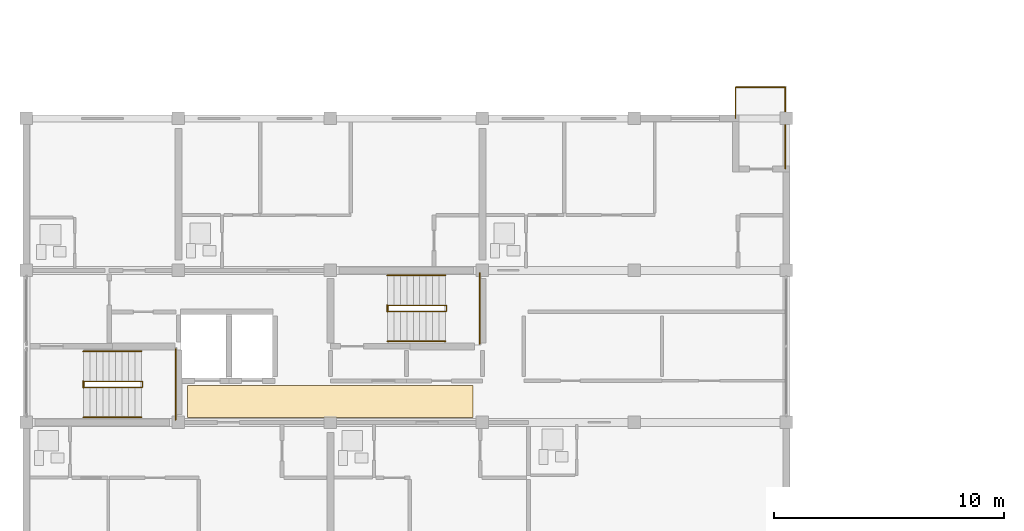
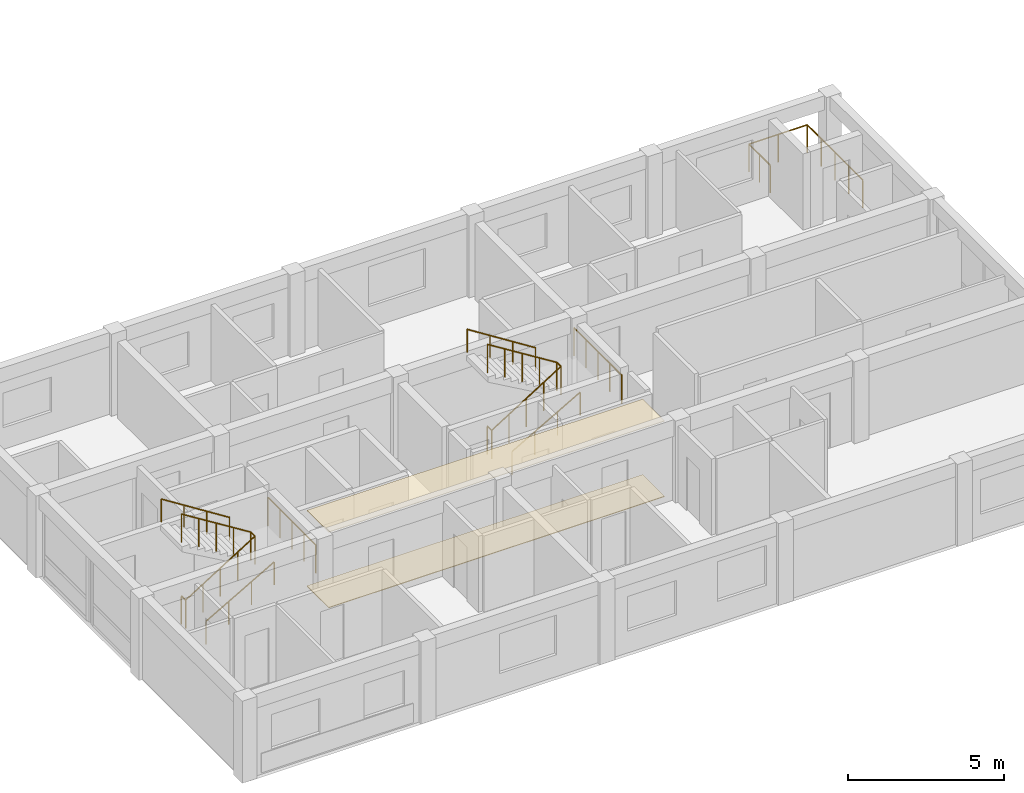
# One storey, part 43 of 46: 11 railings, 2 coverings.
"""IFC4 building model written with IfcOpenShell, lengths in metres."""

from ifc_helpers import new_model, si_unit, direction, frame, origin, origin_2d, place, context, subcontext, project, spatial, polyline, circle, outline, extrude, material, layer, layer_set, type_object, element, save


model = new_model("IFC4")

# Units and contexts
model_context = context("Model", 3, precision=1e-05, world=origin(), true_north=direction((0.0, 1.0)))
body_context = subcontext(model_context, "Body", "Model", "MODEL_VIEW")
ifc_project = project(units=[si_unit("LENGTHUNIT", "METRE"), si_unit("AREAUNIT", "SQUARE_METRE"), si_unit("VOLUMEUNIT", "CUBIC_METRE"), si_unit("PLANEANGLEUNIT", "RADIAN"), si_unit("MASSUNIT", "GRAM", prefix="KILO")], contexts=[model_context])

# Site, building, storey
site_placement = place(None, origin())
site = spatial("IfcSite", under=ifc_project, at=site_placement, CompositionType="ELEMENT")
building_placement = place(site_placement, origin())
building = spatial("IfcBuilding", under=site, at=building_placement, Name="Kernevlak Ridge Housing Community", CompositionType="ELEMENT")
storey_placement = place(building_placement, frame((0.0, 0.0, 27.60009765625)))
storey = spatial("IfcBuildingStorey", under=building, at=storey_placement, Name="L08", CompositionType="ELEMENT", Elevation=27.60009765625)

# Railing
ifc_material_1 = material(Name="Steel S355", Category="steel")
railing_type_1 = type_object("IfcRailingType", Name="BL-01", PredefinedType="BALUSTRADE", material=ifc_material_1)
railing_1_placement = place(storey_placement, frame((46.39990234375, 95.800048828125, 0.0)))
element("IfcRailing", 1, at=railing_1_placement, inside=storey, type_object=railing_type_1, Name="Block A L08 balcony balustrade BL-01 8", PredefinedType="BALUSTRADE", context=body_context, shape_type="SweptSolid", body=[
    extrude(circle(Radius=0.02392578125, at=origin_2d()), frame((0.0, 0.0, 1.076171875), z_axis=(0.0, 1.0, 0.0), x_axis=(-1.0, 0.0, 0.0)), (0.0, 0.0, 1.0), 1.349853515625),
    extrude(circle(Radius=0.02392578125, at=origin_2d()), frame((0.0, 1.349853515625, 1.076171875), z_axis=(1.0, 0.0, 0.0), x_axis=(0.0, 1.0, 0.0)), (0.0, 0.0, 1.0), 2.150146484375),
    extrude(circle(Radius=0.02392578125, at=origin_2d()), frame((2.150146484375, 1.349853515625, 1.076171875), z_axis=(0.0, -1.0, 0.0), x_axis=(1.0, 0.0, 0.0)), (0.0, 0.0, 1.0), 3.5498046875),
    extrude(circle(Radius=0.02099609375, at=origin_2d()), origin(), (0.0, 0.0, 1.0), 1.052001953125),
    extrude(circle(Radius=0.02099609375, at=origin_2d()), frame((0.0, 0.6748046875, 0.0)), (0.0, 0.0, 1.0), 1.052001953125),
    extrude(circle(Radius=0.02099609375, at=origin_2d()), frame((0.0, 1.349853515625, 0.0)), (0.0, 0.0, 1.0), 1.052001953125),
    extrude(circle(Radius=0.02099609375, at=origin_2d()), frame((1.0751953125, 1.349853515625, 0.0)), (0.0, 0.0, 1.0), 1.052001953125),
    extrude(circle(Radius=0.02099609375, at=origin_2d()), frame((2.150146484375, 1.349853515625, 0.0)), (0.0, 0.0, 1.0), 1.052001953125),
    extrude(circle(Radius=0.02099609375, at=origin_2d()), frame((2.150146484375, 0.46240234375, 0.0)), (0.0, 0.0, 1.0), 1.052001953125),
    extrude(circle(Radius=0.02099609375, at=origin_2d()), frame((2.150146484375, -0.425048828125, 0.0)), (0.0, 0.0, 1.0), 1.052001953125),
    extrude(circle(Radius=0.02099609375, at=origin_2d()), frame((2.150146484375, -1.3125, 0.0)), (0.0, 0.0, 1.0), 1.052001953125),
    extrude(circle(Radius=0.02099609375, at=origin_2d()), frame((2.150146484375, -2.199951171875, 0.0)), (0.0, 0.0, 1.0), 1.052001953125),
])

# Coverings
ifc_material_2 = material(Name="Acoustic perforated gypsum ceiling board")
ifc_layer_1 = layer(ifc_material_2, 0.02001953125, Name="Acoustic perforated gypsum ceiling board")
ifc_layer_set_1 = layer_set([ifc_layer_1], Name="Acoustic perforated gypsum ceiling board")
covering_type_1 = type_object("IfcCoveringType", Name="CV-01", PredefinedType="CEILING", material=ifc_layer_set_1)
covering_1_placement = place(storey_placement, frame((0.0, 0.0, 2.949951171875)))
element("IfcCovering", 2, at=covering_1_placement, inside=storey, type_object=covering_type_1, Name="Block A L08 lobby acoustic ceiling", PredefinedType="CEILING", context=body_context, shape_type="SweptSolid", body=[
    extrude(outline(polyline([(22.60009765625, 82.800048828125), (35.0, 82.800048828125), (35.0, 84.199951171875), (22.60009765625, 84.199951171875), (22.60009765625, 82.800048828125)])), origin(), (0.0, 0.0, 1.0), 0.02001953125),
])
ifc_material_3 = material(Name="Polished pale terrazzo tile flooring")
ifc_layer_2 = layer(ifc_material_3, 0.02490234375, Name="Polished pale terrazzo tile flooring")
ifc_layer_set_2 = layer_set([ifc_layer_2], Name="Polished pale terrazzo tile flooring")
covering_type_2 = type_object("IfcCoveringType", Name="CV-02", PredefinedType="FLOORING", material=ifc_layer_set_2)
covering_2_placement = place(storey_placement, origin())
element("IfcCovering", 3, at=covering_2_placement, inside=storey, type_object=covering_type_2, Name="Block A L08 lobby terrazzo flooring", PredefinedType="FLOORING", context=body_context, shape_type="SweptSolid", body=[
    extrude(outline(polyline([(22.60009765625, 82.800048828125), (35.0, 82.800048828125), (35.0, 84.199951171875), (22.60009765625, 84.199951171875), (22.60009765625, 82.800048828125)])), origin(), (0.0, 0.0, 1.0), 0.02490234375),
])

# Railings
railing_type_2 = type_object("IfcRailingType", Name="GR-02", PredefinedType="GUARDRAIL", material=ifc_material_1)
railing_2_placement = place(storey_placement, frame((18.080078125, 84.110107421875, 0.0)))
element("IfcRailing", 4, at=railing_2_placement, inside=storey, type_object=railing_type_2, Name="Stair ST-A1 L08 well slot guard", PredefinedType="GUARDRAIL", context=body_context, shape_type="SweptSolid", body=[
    extrude(circle(Radius=0.02392578125, at=origin_2d()), frame((0.0, 0.0, 1.09619140625), z_axis=(0.0, 1.0, 0.0), x_axis=(-1.0, 0.0, 0.0)), (0.0, 0.0, 1.0), 0.27978515625),
    extrude(circle(Radius=0.02099609375, at=origin_2d()), origin(), (0.0, 0.0, 1.0), 1.072021484375),
    extrude(circle(Radius=0.02099609375, at=origin_2d()), frame((0.0, 0.27978515625, 0.0)), (0.0, 0.0, 1.0), 1.072021484375),
])
railing_3_placement = place(storey_placement, frame((18.080078125, 84.1201171875, 0.0)))
element("IfcRailing", 5, at=railing_3_placement, inside=storey, type_object=railing_type_2, Name="Stair ST-A1 L08 inner well guardrail", PredefinedType="GUARDRAIL", context=body_context, shape_type="SweptSolid", body=[
    extrude(circle(Radius=0.02392578125, at=origin_2d()), frame((0.0, 0.0, 1.09619140625), z_axis=(0.848002847666, 0.0, 0.529991670077), x_axis=(0.0, 1.0, 0.0)), (0.0, 0.0, 1.0), 3.0185546875),
    extrude(circle(Radius=0.02392578125, at=origin_2d()), frame((2.559814453125, 0.0, 2.69580078125), z_axis=(0.0, 1.0, 0.0), x_axis=(-1.0, 0.0, 0.0)), (0.0, 0.0, 1.0), 0.259765625),
    extrude(circle(Radius=0.02392578125, at=origin_2d()), frame((2.559814453125, 0.259765625, 2.69580078125), z_axis=(-0.847966497998, 0.0, 0.530049826217), x_axis=(0.0, -1.0, 0.0)), (0.0, 0.0, 1.0), 3.018798828125),
    extrude(circle(Radius=0.02099609375, at=origin_2d()), origin(), (0.0, 0.0, 1.0), 1.072021484375),
    extrude(circle(Radius=0.02099609375, at=origin_2d()), frame((0.639892578125, 0.0, 0.39990234375)), (0.0, 0.0, 1.0), 1.072021484375),
    extrude(circle(Radius=0.02099609375, at=origin_2d()), frame((1.27978515625, 0.0, 0.7998046875)), (0.0, 0.0, 1.0), 1.072021484375),
    extrude(circle(Radius=0.02099609375, at=origin_2d()), frame((1.919921875, 0.0, 1.199951171875)), (0.0, 0.0, 1.0), 1.072021484375),
    extrude(circle(Radius=0.02099609375, at=origin_2d()), frame((2.559814453125, 0.0, 1.599853515625)), (0.0, 0.0, 1.0), 1.072021484375),
    extrude(circle(Radius=0.02099609375, at=origin_2d()), frame((2.559814453125, 0.259765625, 1.599853515625)), (0.0, 0.0, 1.0), 1.072021484375),
    extrude(circle(Radius=0.02099609375, at=origin_2d()), frame((1.919921875, 0.259765625, 2.0)), (0.0, 0.0, 1.0), 1.072021484375),
    extrude(circle(Radius=0.02099609375, at=origin_2d()), frame((1.27978515625, 0.259765625, 2.39990234375)), (0.0, 0.0, 1.0), 1.072021484375),
    extrude(circle(Radius=0.02099609375, at=origin_2d()), frame((0.639892578125, 0.259765625, 2.7998046875)), (0.0, 0.0, 1.0), 1.072021484375),
    extrude(circle(Radius=0.02099609375, at=origin_2d()), frame((0.0, 0.259765625, 3.199951171875)), (0.0, 0.0, 1.0), 1.072021484375),
])
railing_4_placement = place(storey_placement, frame((22.080078125, 82.719970703125, 1.599853515625)))
element("IfcRailing", 6, at=railing_4_placement, inside=storey, type_object=railing_type_2, Name="Stair ST-A1 L08 half-landing guard", PredefinedType="GUARDRAIL", context=body_context, shape_type="SweptSolid", body=[
    extrude(circle(Radius=0.02392578125, at=origin_2d()), frame((0.0, 0.0, 1.09619140625), z_axis=(0.0, 1.0, 0.0), x_axis=(-1.0, 0.0, 0.0)), (0.0, 0.0, 1.0), 3.06005859375),
    extrude(circle(Radius=0.02099609375, at=origin_2d()), origin(), (0.0, 0.0, 1.0), 1.072021484375),
    extrude(circle(Radius=0.02099609375, at=origin_2d()), frame((0.0, 0.76513671875, 0.0)), (0.0, 0.0, 1.0), 1.072021484375),
    extrude(circle(Radius=0.02099609375, at=origin_2d()), frame((0.0, 1.530029296875, 0.0)), (0.0, 0.0, 1.0), 1.072021484375),
    extrude(circle(Radius=0.02099609375, at=origin_2d()), frame((0.0, 2.294921875, 0.0)), (0.0, 0.0, 1.0), 1.072021484375),
    extrude(circle(Radius=0.02099609375, at=origin_2d()), frame((0.0, 3.06005859375, 0.0)), (0.0, 0.0, 1.0), 1.072021484375),
])
railing_5_placement = place(storey_placement, frame((31.280029296875, 87.409912109375, 0.0)))
element("IfcRailing", 7, at=railing_5_placement, inside=storey, type_object=railing_type_2, Name="Stair ST-A2 L08 well slot guard", PredefinedType="GUARDRAIL", context=body_context, shape_type="SweptSolid", body=[
    extrude(circle(Radius=0.02392578125, at=origin_2d()), frame((0.0, 0.0, 1.09619140625), z_axis=(0.0, 1.0, 0.0), x_axis=(-1.0, 0.0, 0.0)), (0.0, 0.0, 1.0), 0.280029296875),
    extrude(circle(Radius=0.02099609375, at=origin_2d()), origin(), (0.0, 0.0, 1.0), 1.072021484375),
    extrude(circle(Radius=0.02099609375, at=origin_2d()), frame((0.0, 0.280029296875, 0.0)), (0.0, 0.0, 1.0), 1.072021484375),
])
railing_6_placement = place(storey_placement, frame((31.280029296875, 87.419921875, 0.0)))
element("IfcRailing", 8, at=railing_6_placement, inside=storey, type_object=railing_type_2, Name="Stair ST-A2 L08 inner well guardrail", PredefinedType="GUARDRAIL", context=body_context, shape_type="SweptSolid", body=[
    extrude(circle(Radius=0.02392578125, at=origin_2d()), frame((0.0, 0.0, 1.09619140625), z_axis=(0.848025563165, 0.0, 0.529955322851), x_axis=(0.0, 1.0, 0.0)), (0.0, 0.0, 1.0), 3.018798828125),
    extrude(circle(Radius=0.02392578125, at=origin_2d()), frame((2.56005859375, 0.0, 2.69580078125), z_axis=(0.0, 1.0, 0.0), x_axis=(-1.0, 0.0, 0.0)), (0.0, 0.0, 1.0), 0.260009765625),
    extrude(circle(Radius=0.02392578125, at=origin_2d()), frame((2.56005859375, 0.260009765625, 2.69580078125), z_axis=(-0.847989217509, 0.0, 0.530013478119), x_axis=(0.0, -1.0, 0.0)), (0.0, 0.0, 1.0), 3.01904296875),
    extrude(circle(Radius=0.02099609375, at=origin_2d()), origin(), (0.0, 0.0, 1.0), 1.072021484375),
    extrude(circle(Radius=0.02099609375, at=origin_2d()), frame((0.64013671875, 0.0, 0.39990234375)), (0.0, 0.0, 1.0), 1.072021484375),
    extrude(circle(Radius=0.02099609375, at=origin_2d()), frame((1.280029296875, 0.0, 0.7998046875)), (0.0, 0.0, 1.0), 1.072021484375),
    extrude(circle(Radius=0.02099609375, at=origin_2d()), frame((1.919921875, 0.0, 1.199951171875)), (0.0, 0.0, 1.0), 1.072021484375),
    extrude(circle(Radius=0.02099609375, at=origin_2d()), frame((2.56005859375, 0.0, 1.599853515625)), (0.0, 0.0, 1.0), 1.072021484375),
    extrude(circle(Radius=0.02099609375, at=origin_2d()), frame((2.56005859375, 0.260009765625, 1.599853515625)), (0.0, 0.0, 1.0), 1.072021484375),
    extrude(circle(Radius=0.02099609375, at=origin_2d()), frame((1.919921875, 0.260009765625, 2.0)), (0.0, 0.0, 1.0), 1.072021484375),
    extrude(circle(Radius=0.02099609375, at=origin_2d()), frame((1.280029296875, 0.260009765625, 2.39990234375)), (0.0, 0.0, 1.0), 1.072021484375),
    extrude(circle(Radius=0.02099609375, at=origin_2d()), frame((0.64013671875, 0.260009765625, 2.7998046875)), (0.0, 0.0, 1.0), 1.072021484375),
    extrude(circle(Radius=0.02099609375, at=origin_2d()), frame((0.0, 0.260009765625, 3.199951171875)), (0.0, 0.0, 1.0), 1.072021484375),
])
railing_7_placement = place(storey_placement, frame((35.280029296875, 86.02001953125, 1.599853515625)))
element("IfcRailing", 9, at=railing_7_placement, inside=storey, type_object=railing_type_2, Name="Stair ST-A2 L08 half-landing guard", PredefinedType="GUARDRAIL", context=body_context, shape_type="SweptSolid", body=[
    extrude(circle(Radius=0.02392578125, at=origin_2d()), frame((0.0, 0.0, 1.09619140625), z_axis=(0.0, 1.0, 0.0), x_axis=(-1.0, 0.0, 0.0)), (0.0, 0.0, 1.0), 3.06005859375),
    extrude(circle(Radius=0.02099609375, at=origin_2d()), origin(), (0.0, 0.0, 1.0), 1.072021484375),
    extrude(circle(Radius=0.02099609375, at=origin_2d()), frame((0.0, 0.76513671875, 0.0)), (0.0, 0.0, 1.0), 1.072021484375),
    extrude(circle(Radius=0.02099609375, at=origin_2d()), frame((0.0, 1.530029296875, 0.0)), (0.0, 0.0, 1.0), 1.072021484375),
    extrude(circle(Radius=0.02099609375, at=origin_2d()), frame((0.0, 2.294921875, 0.0)), (0.0, 0.0, 1.0), 1.072021484375),
    extrude(circle(Radius=0.02099609375, at=origin_2d()), frame((0.0, 3.06005859375, 0.0)), (0.0, 0.0, 1.0), 1.072021484375),
])
ifc_material_4 = material(Name="Stainless steel EN 1.4401", Category="steel")
railing_type_3 = type_object("IfcRailingType", Name="HR-01", PredefinedType="HANDRAIL", material=ifc_material_4)
railing_8_placement = place(storey_placement, frame((18.080078125, 82.820068359375, 0.159912109375)))
element("IfcRailing", 10, at=railing_8_placement, inside=storey, type_object=railing_type_3, Name="Stair ST-A1 L08 flight 1 handrail", PredefinedType="HANDRAIL", context=body_context, shape_type="SweptSolid", body=[
    extrude(circle(Radius=0.02392578125, at=origin_2d()), frame((0.0, 0.0, 0.89599609375), z_axis=(0.868253494771, 0.0, 0.496120820787), x_axis=(0.0, 1.0, 0.0)), (0.0, 0.0, 1.0), 2.90234375),
    extrude(circle(Radius=0.02099609375, at=origin_2d()), origin(), (0.0, 0.0, 1.0), 0.871826171875),
    extrude(circle(Radius=0.02099609375, at=origin_2d()), frame((0.840087890625, 0.0, 0.47998046875)), (0.0, 0.0, 1.0), 0.871826171875),
    extrude(circle(Radius=0.02099609375, at=origin_2d()), frame((1.679931640625, 0.0, 0.9599609375)), (0.0, 0.0, 1.0), 0.871826171875),
    extrude(circle(Radius=0.02099609375, at=origin_2d()), frame((2.52001953125, 0.0, 1.43994140625)), (0.0, 0.0, 1.0), 0.871826171875),
])
railing_9_placement = place(storey_placement, frame((20.60009765625, 85.679931640625, 1.599853515625)))
element("IfcRailing", 11, at=railing_9_placement, inside=storey, type_object=railing_type_3, Name="Stair ST-A1 L08 flight 2 handrail", PredefinedType="HANDRAIL", context=body_context, shape_type="SweptSolid", body=[
    extrude(circle(Radius=0.02392578125, at=origin_2d()), frame((0.0, 0.0, 0.89599609375), z_axis=(-0.844199891302, 0.0, 0.536028491338), x_axis=(0.0, -1.0, 0.0)), (0.0, 0.0, 1.0), 2.985107421875),
    extrude(circle(Radius=0.02099609375, at=origin_2d()), origin(), (0.0, 0.0, 1.0), 0.871826171875),
    extrude(circle(Radius=0.02099609375, at=origin_2d()), frame((-0.840087890625, 0.0, 0.533447265625)), (0.0, 0.0, 1.0), 0.871826171875),
    extrude(circle(Radius=0.02099609375, at=origin_2d()), frame((-1.679931640625, 0.0, 1.066650390625)), (0.0, 0.0, 1.0), 0.871826171875),
    extrude(circle(Radius=0.02099609375, at=origin_2d()), frame((-2.52001953125, 0.0, 1.60009765625)), (0.0, 0.0, 1.0), 0.871826171875),
])
railing_10_placement = place(storey_placement, frame((31.280029296875, 86.1201171875, 0.159912109375)))
element("IfcRailing", 12, at=railing_10_placement, inside=storey, type_object=railing_type_3, Name="Stair ST-A2 L08 flight 1 handrail", PredefinedType="HANDRAIL", context=body_context, shape_type="SweptSolid", body=[
    extrude(circle(Radius=0.02392578125, at=origin_2d()), frame((0.0, 0.0, 0.89599609375), z_axis=(0.868253494771, 0.0, 0.496120820787), x_axis=(0.0, 1.0, 0.0)), (0.0, 0.0, 1.0), 2.90234375),
    extrude(circle(Radius=0.02099609375, at=origin_2d()), origin(), (0.0, 0.0, 1.0), 0.871826171875),
    extrude(circle(Radius=0.02099609375, at=origin_2d()), frame((0.840087890625, 0.0, 0.47998046875)), (0.0, 0.0, 1.0), 0.871826171875),
    extrude(circle(Radius=0.02099609375, at=origin_2d()), frame((1.679931640625, 0.0, 0.9599609375)), (0.0, 0.0, 1.0), 0.871826171875),
    extrude(circle(Radius=0.02099609375, at=origin_2d()), frame((2.52001953125, 0.0, 1.43994140625)), (0.0, 0.0, 1.0), 0.871826171875),
])
railing_11_placement = place(storey_placement, frame((33.800048828125, 88.97998046875, 1.599853515625)))
element("IfcRailing", 13, at=railing_11_placement, inside=storey, type_object=railing_type_3, Name="Stair ST-A2 L08 flight 2 handrail", PredefinedType="HANDRAIL", context=body_context, shape_type="SweptSolid", body=[
    extrude(circle(Radius=0.02392578125, at=origin_2d()), frame((0.0, 0.0, 0.89599609375), z_axis=(-0.844199891302, 0.0, 0.536028491338), x_axis=(0.0, -1.0, 0.0)), (0.0, 0.0, 1.0), 2.985107421875),
    extrude(circle(Radius=0.02099609375, at=origin_2d()), origin(), (0.0, 0.0, 1.0), 0.871826171875),
    extrude(circle(Radius=0.02099609375, at=origin_2d()), frame((-0.840087890625, 0.0, 0.533447265625)), (0.0, 0.0, 1.0), 0.871826171875),
    extrude(circle(Radius=0.02099609375, at=origin_2d()), frame((-1.679931640625, 0.0, 1.066650390625)), (0.0, 0.0, 1.0), 0.871826171875),
    extrude(circle(Radius=0.02099609375, at=origin_2d()), frame((-2.52001953125, 0.0, 1.60009765625)), (0.0, 0.0, 1.0), 0.871826171875),
])

save(model, "model.ifc")
